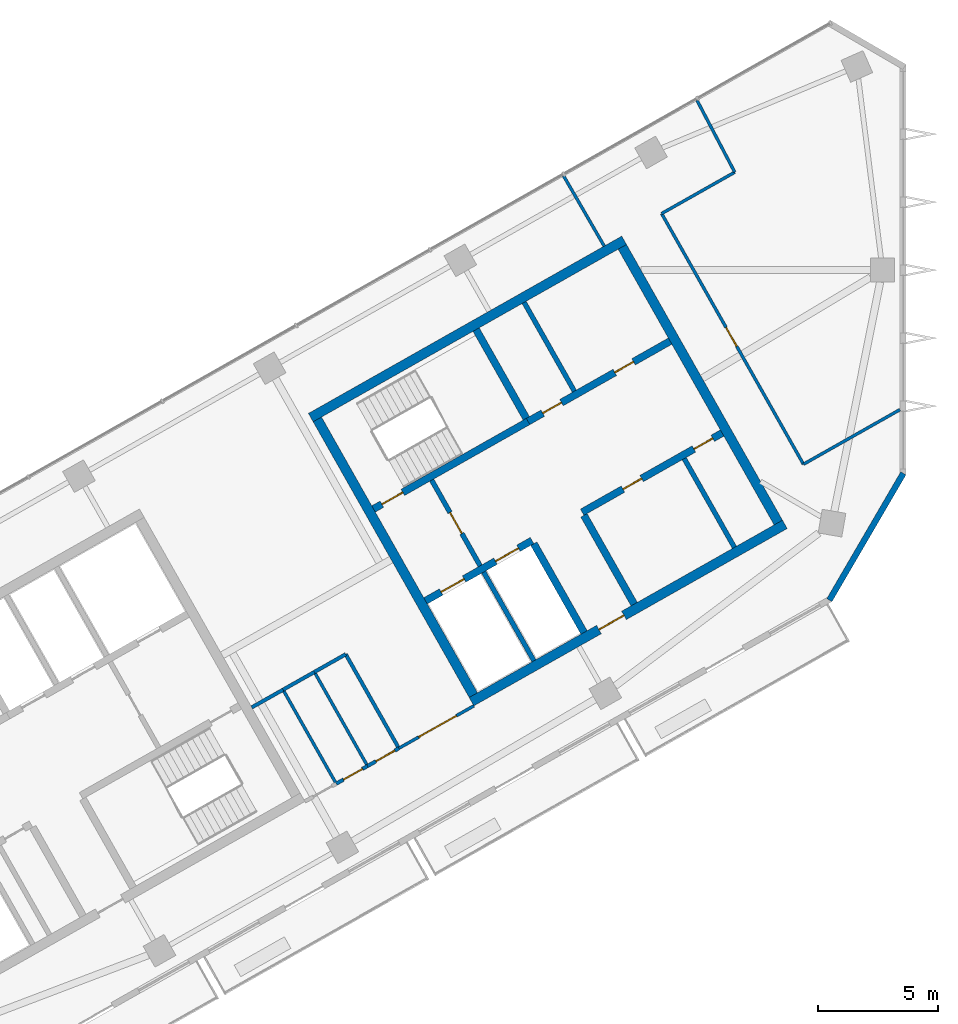
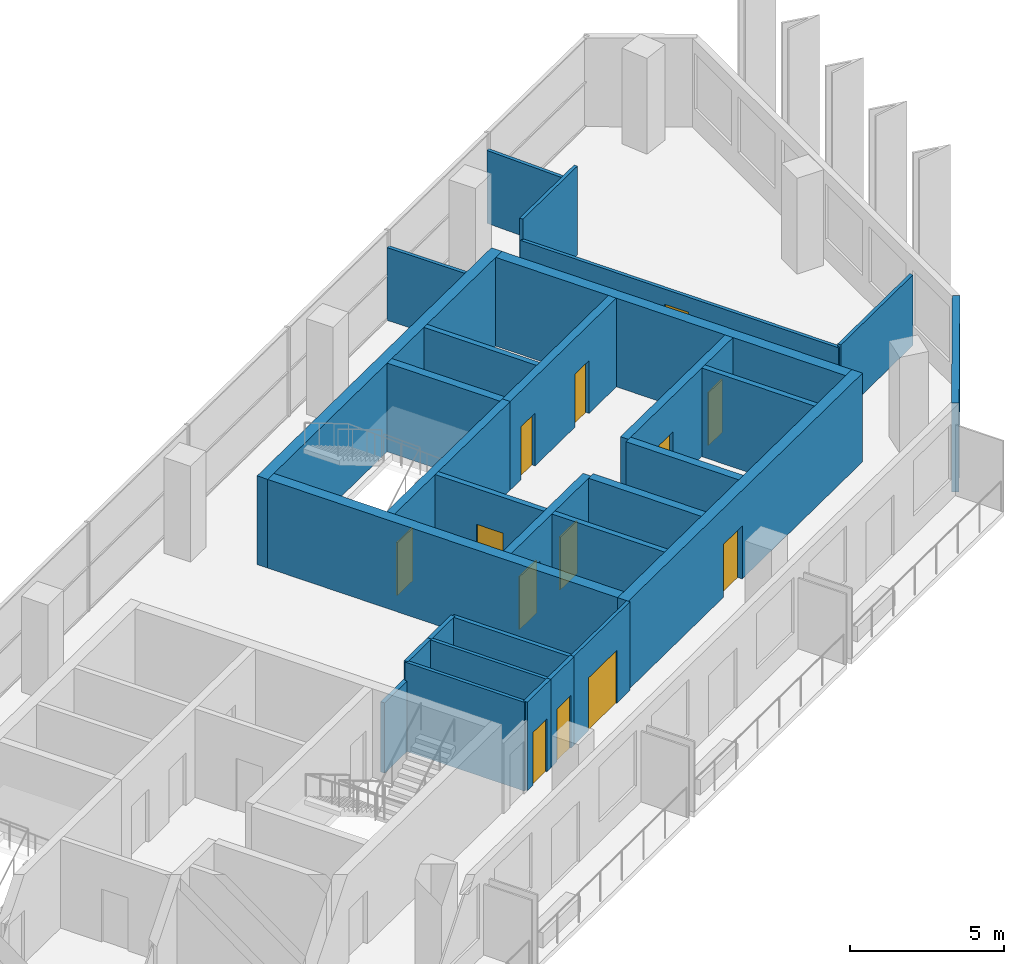
# One storey, part 7 of 10: 30 walls, 13 doors, 13 openings.
"""IFC4 building model written with IfcOpenShell, lengths in metres."""

from ifc_helpers import new_model, si_unit, direction, frame, frame_2d, origin, place, context, subcontext, project, spatial, rectangle, extrude, material, layer, layer_set, type_object, element, fill, save


model = new_model("IFC4")

# Units and contexts
model_context = context("Model", 3, precision=1e-05, world=origin(), true_north=direction((0.0, 1.0)))
body_context = subcontext(model_context, "Body", "Model", "MODEL_VIEW")
ifc_project = project(units=[si_unit("LENGTHUNIT", "METRE"), si_unit("AREAUNIT", "SQUARE_METRE"), si_unit("VOLUMEUNIT", "CUBIC_METRE"), si_unit("PLANEANGLEUNIT", "RADIAN"), si_unit("MASSUNIT", "GRAM", prefix="KILO")], contexts=[model_context])

# Site, building, storey
site_placement = place(None, origin())
site = spatial("IfcSite", under=ifc_project, at=site_placement, CompositionType="ELEMENT")
building_placement = place(site_placement, origin())
building = spatial("IfcBuilding", under=site, at=building_placement, Name="Binnacle Exchange Tower", CompositionType="ELEMENT")
storey_placement = place(building_placement, frame((0.0, 0.0, 324.10009765625)))
storey = spatial("IfcBuildingStorey", under=building, at=storey_placement, Name="L73", CompositionType="ELEMENT", Elevation=324.10009765625)

# Walls
ifc_material_1 = material(Name="Gypsum partition fire rated")
ifc_layer_1 = layer(ifc_material_1, 0.199951171875)
ifc_layer_set_1 = layer_set([ifc_layer_1], Name="Core partition 200")
wall_type_1 = type_object("IfcWallType", Name="Core partition 200", PredefinedType="PARTITIONING", material=ifc_layer_set_1)
wall_1_placement = place(storey_placement, frame((-15.783203125, 58.653564453125, 0.0), z_axis=(0.0, 0.0, 1.0), x_axis=(0.492441437811, -0.870345580977, 0.0)))
element("IfcWall", 1, at=wall_1_placement, inside=storey, type_object=wall_type_1, Name="Core wall CRWC17", PredefinedType="PARTITIONING", context=body_context, shape_type="SweptSolid", body=[
    extrude(rectangle(XDim=4.250244140625, YDim=0.199951171875, at=frame_2d((2.125, 0.0))), origin(), (0.0, 0.0, 1.0), 3.52001953125),
])
wall_2_placement = place(storey_placement, frame((-9.11279296875, 52.14404296875, 0.0), z_axis=(0.0, 0.0, 1.0), x_axis=(0.492422543467, -0.870356271124, 0.0)))
element("IfcWall", 2, at=wall_2_placement, inside=storey, type_object=wall_type_1, Name="Core wall CRWC22", PredefinedType="PARTITIONING", context=body_context, shape_type="SweptSolid", body=[
    extrude(rectangle(XDim=4.25, YDim=0.199951171875, at=frame_2d((2.125, 0.0))), origin(), (0.0, 0.0, 1.0), 3.52001953125),
])

# Wall, openings, doors
ifc_material_2 = material(Name="Concrete C70/85", Category="concrete")
ifc_layer_2 = layer(ifc_material_2, 0.300048828125)
ifc_layer_set_2 = layer_set([ifc_layer_2], Name="Core wall - front 300")
wall_type_2 = type_object("IfcWallType", Name="Core wall - front 300", PredefinedType="SOLIDWALL", material=ifc_layer_set_2)
wall_3_placement = place(storey_placement, frame((-19.89208984375, 46.2177734375, 0.0), z_axis=(0.0, 0.0, 1.0), x_axis=(0.870341639186, 0.492448404505, 0.0)))
wall_3 = element("IfcWall", 3, at=wall_3_placement, inside=storey, type_object=wall_type_2, Name="Core wall CRWC2", PredefinedType="SOLIDWALL", context=body_context, shape_type="SweptSolid", body=[
    extrude(rectangle(XDim=5.099853515625, YDim=0.300048828125, at=frame_2d((2.5498046875, 0.0))), origin(), (0.0, 0.0, 1.0), 3.52001953125),
])
opening_1_placement = place(wall_3_placement, frame((0.75, 0.0, 0.0)))
opening_1 = element("IfcOpeningElement", 4, at=opening_1_placement, cuts=wall_3, Name="Opening LD14", PredefinedType="OPENING", context=body_context, shape_type="SweptSolid", body=[
    extrude(rectangle(XDim=1.10009765625, YDim=2.10009765625, at=frame_2d((0.550048828125, 1.050048828125))), frame((0.0, 0.159912109375, 0.0), z_axis=(0.0, -1.0, 0.0), x_axis=(1.0, 0.0, 0.0)), (0.0, 0.0, 1.0), 0.320068359375),
])
opening_2_placement = place(wall_3_placement, frame((3.35009765625, 0.0, 0.0)))
opening_2 = element("IfcOpeningElement", 5, at=opening_2_placement, cuts=wall_3, Name="Opening LD11", PredefinedType="OPENING", context=body_context, shape_type="SweptSolid", body=[
    extrude(rectangle(XDim=1.10009765625, YDim=2.10009765625, at=frame_2d((0.550048828125, 1.050048828125))), frame((0.0, 0.159912109375, 0.0), z_axis=(0.0, -1.0, 0.0), x_axis=(1.0, 0.0, 0.0)), (0.0, 0.0, 1.0), 0.320068359375),
])
ifc_material_3 = material(Name="Steel door leaf", Category="steel")
door_type_1 = type_object("IfcDoorType", Name="Fire door - lift landing 1100", OperationType="NOTDEFINED", PredefinedType="DOOR", material=ifc_material_3)
door_1_placement = place(opening_1_placement, origin())
door_1 = element("IfcDoor", 6, at=door_1_placement, inside=storey, type_object=door_type_1, Name="Landing door LD14 L73", OperationType="DOUBLE_DOOR_SLIDING", OverallHeight=2.10009765625, OverallWidth=1.10009765625, PredefinedType="DOOR", context=body_context, shape_type="SweptSolid", body=[
    extrude(rectangle(XDim=1.10009765625, YDim=2.10009765625, at=frame_2d((0.550048828125, 1.050048828125))), frame((0.0, 0.02490234375, 0.0), z_axis=(0.0, -1.0, 0.0), x_axis=(1.0, 0.0, 0.0)), (0.0, 0.0, 1.0), 0.050048828125),
])
fill(opening_1, door_1)
door_2_placement = place(opening_2_placement, origin())
door_2 = element("IfcDoor", 7, at=door_2_placement, inside=storey, type_object=door_type_1, Name="Landing door LD11 L73", OperationType="DOUBLE_DOOR_SLIDING", OverallHeight=2.10009765625, OverallWidth=1.10009765625, PredefinedType="DOOR", context=body_context, shape_type="SweptSolid", body=[
    extrude(rectangle(XDim=1.10009765625, YDim=2.10009765625, at=frame_2d((0.550048828125, 1.050048828125))), frame((0.0, 0.02490234375, 0.0), z_axis=(0.0, -1.0, 0.0), x_axis=(1.0, 0.0, 0.0)), (0.0, 0.0, 1.0), 0.050048828125),
])
fill(opening_2, door_2)

wall_4_placement = place(storey_placement, frame((-13.364501953125, 49.910888671875, 0.0), z_axis=(0.0, 0.0, 1.0), x_axis=(0.870347618718, 0.492437836272, 0.0)))
wall_4 = element("IfcWall", 8, at=wall_4_placement, inside=storey, type_object=wall_type_2, Name="Core wall CRWC3", PredefinedType="SOLIDWALL", context=body_context, shape_type="SweptSolid", body=[
    extrude(rectangle(XDim=6.699951171875, YDim=0.300048828125, at=frame_2d((3.35009765625, 0.0))), origin(), (0.0, 0.0, 1.0), 3.52001953125),
])
opening_3_placement = place(wall_4_placement, frame((1.949951171875, 0.0, 0.0)))
opening_3 = element("IfcOpeningElement", 9, at=opening_3_placement, cuts=wall_4, Name="Opening DC18", PredefinedType="OPENING", context=body_context, shape_type="SweptSolid", body=[
    extrude(rectangle(XDim=0.89990234375, YDim=2.10009765625, at=frame_2d((0.449951171875, 1.050048828125))), frame((0.0, 0.159912109375, 0.0), z_axis=(0.0, -1.0, 0.0), x_axis=(1.0, 0.0, 0.0)), (0.0, 0.0, 1.0), 0.320068359375),
])
opening_4_placement = place(wall_4_placement, frame((5.35009765625, 0.0, 0.0)))
opening_4 = element("IfcOpeningElement", 10, at=opening_4_placement, cuts=wall_4, Name="Opening DC19", PredefinedType="OPENING", context=body_context, shape_type="SweptSolid", body=[
    extrude(rectangle(XDim=0.89990234375, YDim=2.10009765625, at=frame_2d((0.449951171875, 1.050048828125))), frame((0.0, 0.159912109375, 0.0), z_axis=(0.0, -1.0, 0.0), x_axis=(1.0, 0.0, 0.0)), (0.0, 0.0, 1.0), 0.320068359375),
])
door_type_2 = type_object("IfcDoorType", Name="Fire door 900", OperationType="NOTDEFINED", PredefinedType="DOOR", material=ifc_material_3)
door_3_placement = place(opening_3_placement, frame((0.89990234375, 0.0, 0.0), z_axis=(0.0, 0.0, 1.0), x_axis=(-1.0, 0.0, 0.0)))
door_3 = element("IfcDoor", 11, at=door_3_placement, inside=storey, type_object=door_type_2, Name="Core room door TELECOM RISER ROOM", OperationType="SINGLE_SWING_RIGHT", OverallHeight=2.10009765625, OverallWidth=0.89990234375, PredefinedType="DOOR", context=body_context, shape_type="SweptSolid", body=[
    extrude(rectangle(XDim=0.89990234375, YDim=2.10009765625, at=frame_2d((0.449951171875, 1.050048828125))), frame((0.0, 0.02490234375, 0.0), z_axis=(0.0, -1.0, 0.0), x_axis=(1.0, 0.0, 0.0)), (0.0, 0.0, 1.0), 0.050048828125),
])
fill(opening_3, door_3)
door_4_placement = place(opening_4_placement, frame((0.89990234375, 0.0, 0.0), z_axis=(0.0, 0.0, 1.0), x_axis=(-1.0, 0.0, 0.0)))
door_4 = element("IfcDoor", 12, at=door_4_placement, inside=storey, type_object=door_type_2, Name="Core room door FIBRE ENTRY ROOM", OperationType="SINGLE_SWING_LEFT", OverallHeight=2.10009765625, OverallWidth=0.89990234375, PredefinedType="DOOR", context=body_context, shape_type="SweptSolid", body=[
    extrude(rectangle(XDim=0.89990234375, YDim=2.10009765625, at=frame_2d((0.449951171875, 1.050048828125))), frame((0.0, 0.02490234375, 0.0), z_axis=(0.0, -1.0, 0.0), x_axis=(1.0, 0.0, 0.0)), (0.0, 0.0, 1.0), 0.050048828125),
])
fill(opening_4, door_4)

wall_5_placement = place(storey_placement, frame((-15.6181640625, 53.69140625, 0.0), z_axis=(0.0, 0.0, 1.0), x_axis=(0.870362830851, 0.492410948978, 0.0)))
wall_5 = element("IfcWall", 13, at=wall_5_placement, inside=storey, type_object=wall_type_2, Name="Core wall CRWC5", PredefinedType="SOLIDWALL", context=body_context, shape_type="SweptSolid", body=[
    extrude(rectangle(XDim=6.800048828125, YDim=0.300048828125, at=frame_2d((3.39990234375, 0.0))), origin(), (0.0, 0.0, 1.0), 3.52001953125),
])
opening_5_placement = place(wall_5_placement, frame((0.699951171875, 0.0, 0.0)))
opening_5 = element("IfcOpeningElement", 14, at=opening_5_placement, cuts=wall_5, Name="Opening DC10", PredefinedType="OPENING", context=body_context, shape_type="SweptSolid", body=[
    extrude(rectangle(XDim=0.89990234375, YDim=2.10009765625, at=frame_2d((0.449951171875, 1.050048828125))), frame((0.0, 0.159912109375, 0.0), z_axis=(0.0, -1.0, 0.0), x_axis=(1.0, 0.0, 0.0)), (0.0, 0.0, 1.0), 0.320068359375),
])
opening_6_placement = place(wall_5_placement, frame((4.14990234375, 0.0, 0.0)))
opening_6 = element("IfcOpeningElement", 15, at=opening_6_placement, cuts=wall_5, Name="Opening DC11", PredefinedType="OPENING", context=body_context, shape_type="SweptSolid", body=[
    extrude(rectangle(XDim=0.89990234375, YDim=2.10009765625, at=frame_2d((0.449951171875, 1.050048828125))), frame((0.0, 0.159912109375, 0.0), z_axis=(0.0, -1.0, 0.0), x_axis=(1.0, 0.0, 0.0)), (0.0, 0.0, 1.0), 0.320068359375),
])
door_5_placement = place(opening_5_placement, origin())
door_5 = element("IfcDoor", 16, at=door_5_placement, inside=storey, type_object=door_type_2, Name="Core room door CLEANERS STORE", OperationType="SINGLE_SWING_LEFT", OverallHeight=2.10009765625, OverallWidth=0.89990234375, PredefinedType="DOOR", context=body_context, shape_type="SweptSolid", body=[
    extrude(rectangle(XDim=0.89990234375, YDim=2.10009765625, at=frame_2d((0.449951171875, 1.050048828125))), frame((0.0, 0.02490234375, 0.0), z_axis=(0.0, -1.0, 0.0), x_axis=(1.0, 0.0, 0.0)), (0.0, 0.0, 1.0), 0.050048828125),
])
fill(opening_5, door_5)
door_6_placement = place(opening_6_placement, origin())
door_6 = element("IfcDoor", 17, at=door_6_placement, inside=storey, type_object=door_type_2, Name="Core room door EQUIPMENT STORE", OperationType="SINGLE_SWING_RIGHT", OverallHeight=2.10009765625, OverallWidth=0.89990234375, PredefinedType="DOOR", context=body_context, shape_type="SweptSolid", body=[
    extrude(rectangle(XDim=0.89990234375, YDim=2.10009765625, at=frame_2d((0.449951171875, 1.050048828125))), frame((0.0, 0.02490234375, 0.0), z_axis=(0.0, -1.0, 0.0), x_axis=(1.0, 0.0, 0.0)), (0.0, 0.0, 1.0), 0.050048828125),
])
fill(opening_6, door_6)

# Walls
wall_6_placement = place(storey_placement, frame((-15.37939453125, 48.5986328125, 0.0), z_axis=(0.0, 0.0, 1.0), x_axis=(0.492422543467, -0.870356271124, 0.0)))
element("IfcWall", 18, at=wall_6_placement, inside=storey, type_object=wall_type_2, Name="Core wall CRWC13", PredefinedType="SOLIDWALL", context=body_context, shape_type="SweptSolid", body=[
    extrude(rectangle(XDim=4.25, YDim=0.300048828125, at=frame_2d((2.125, 0.0))), origin(), (0.0, 0.0, 1.0), 3.52001953125),
])
wall_7_placement = place(storey_placement, frame((-13.29052734375, 49.780517578125, 0.0), z_axis=(0.0, 0.0, 1.0), x_axis=(0.492397924348, -0.870370199454, 0.0)))
element("IfcWall", 19, at=wall_7_placement, inside=storey, type_object=wall_type_2, Name="Core wall CRWC15", PredefinedType="SOLIDWALL", context=body_context, shape_type="SweptSolid", body=[
    extrude(rectangle(XDim=4.250244140625, YDim=0.300048828125, at=frame_2d((2.125, 0.0))), origin(), (0.0, 0.0, 1.0), 3.52001953125),
])

# Wall, opening, door
ifc_layer_3 = layer(ifc_material_2, 0.39990234375)
ifc_layer_set_3 = layer_set([ifc_layer_3], Name="Core wall - outer 400")
wall_type_3 = type_object("IfcWallType", Name="Core wall - outer 400", PredefinedType="SOLIDWALL", material=ifc_layer_set_3)
wall_8_placement = place(storey_placement, frame((-17.97509765625, 42.01708984375, 0.0), z_axis=(0.0, 0.0, 1.0), x_axis=(0.87034965173, 0.492434243055, 0.0)))
wall_8 = element("IfcWall", 20, at=wall_8_placement, inside=storey, type_object=wall_type_3, Name="Core wall CRWC1", PredefinedType="SOLIDWALL", context=body_context, shape_type="SweptSolid", body=[
    extrude(rectangle(XDim=15.0, YDim=0.39990234375, at=frame_2d((7.5, 0.0))), origin(), (0.0, 0.0, 1.0), 3.52001953125),
])
opening_7_placement = place(wall_8_placement, frame((6.10009765625, 0.0, 0.0)))
opening_7 = element("IfcOpeningElement", 21, at=opening_7_placement, cuts=wall_8, Name="Opening DC7", PredefinedType="OPENING", context=body_context, shape_type="SweptSolid", body=[
    extrude(rectangle(XDim=1.199951171875, YDim=2.10009765625, at=frame_2d((0.60009765625, 1.050048828125))), frame((0.0, 0.2099609375, 0.0), z_axis=(0.0, -1.0, 0.0), x_axis=(1.0, 0.0, 0.0)), (0.0, 0.0, 1.0), 0.419921875),
])
door_type_3 = type_object("IfcDoorType", Name="Fire door 1200", OperationType="NOTDEFINED", PredefinedType="DOOR", material=ifc_material_3)
door_7_placement = place(opening_7_placement, frame((1.199951171875, 0.0, 0.0), z_axis=(0.0, 0.0, 1.0), x_axis=(-1.0, 0.0, 0.0)))
door_7 = element("IfcDoor", 22, at=door_7_placement, inside=storey, type_object=door_type_3, Name="Lift lobby entrance door core C", OperationType="SINGLE_SWING_RIGHT", OverallHeight=2.10009765625, OverallWidth=1.199951171875, PredefinedType="DOOR", context=body_context, shape_type="SweptSolid", body=[
    extrude(rectangle(XDim=1.199951171875, YDim=2.10009765625, at=frame_2d((0.60009765625, 1.050048828125))), frame((0.0, 0.02490234375, 0.0), z_axis=(0.0, -1.0, 0.0), x_axis=(1.0, 0.0, 0.0)), (0.0, 0.0, 1.0), 0.050048828125),
])
fill(opening_7, door_7)

# Walls
wall_9_placement = place(storey_placement, frame((-24.672119140625, 53.85400390625, 0.0), z_axis=(0.0, 0.0, 1.0), x_axis=(0.870353598469, 0.492427267353, 0.0)))
element("IfcWall", 23, at=wall_9_placement, inside=storey, type_object=wall_type_3, Name="Core wall CRWC6", PredefinedType="SOLIDWALL", context=body_context, shape_type="SweptSolid", body=[
    extrude(rectangle(XDim=15.000244140625, YDim=0.39990234375, at=frame_2d((7.5, 0.0))), origin(), (0.0, 0.0, 1.0), 3.52001953125),
])
for number, where, z_axis, x_axis, name in (
    (24, (-24.399658203125, 53.778564453125, 0.0), (0.0, 0.0, 1.0), (0.492421663121, -0.870356769198, 0.0), "Core wall CRWC7"),
    (25, (-11.6923828125, 60.968017578125, 0.0), (0.0, 0.0, 1.0), (0.492421663121, -0.870356769198, 0.0), "Core wall CRWC24"),
):
    element("IfcWall", number, at=place(storey_placement, frame(where, z_axis=z_axis, x_axis=x_axis)), inside=storey, type_object=wall_type_3, Name=name, PredefinedType="SOLIDWALL", context=body_context, shape_type="SweptSolid", body=[
        extrude(rectangle(XDim=13.199951171875, YDim=0.39990234375, at=frame_2d((6.60009765625, 0.0))), origin(), (0.0, 0.0, 1.0), 3.52001953125),
    ])

# Wall, opening, door
ifc_layer_4 = layer(ifc_material_2, 0.300048828125)
ifc_layer_set_4 = layer_set([ifc_layer_4], Name="Core wall - stair 300")
wall_type_4 = type_object("IfcWallType", Name="Core wall - stair 300", PredefinedType="SOLIDWALL", material=ifc_layer_set_4)
wall_10_placement = place(storey_placement, frame((-22.058837890625, 50.04736328125, 0.0), z_axis=(0.0, 0.0, 1.0), x_axis=(0.87035077051, 0.49243226567, 0.0)))
wall_10 = element("IfcWall", 26, at=wall_10_placement, inside=storey, type_object=wall_type_4, Name="Core wall CRWC4", PredefinedType="SOLIDWALL", context=body_context, shape_type="SweptSolid", body=[
    extrude(rectangle(XDim=7.400146484375, YDim=0.300048828125, at=frame_2d((3.7001953125, 0.0))), origin(), (0.0, 0.0, 1.0), 3.52001953125),
])
opening_8_placement = place(wall_10_placement, frame((0.39990234375, 0.0, 0.0)))
opening_8 = element("IfcOpeningElement", 27, at=opening_8_placement, cuts=wall_10, Name="Opening DC1", PredefinedType="OPENING", context=body_context, shape_type="SweptSolid", body=[
    extrude(rectangle(XDim=1.0, YDim=2.10009765625, at=frame_2d((0.5, 1.050048828125))), frame((0.0, 0.159912109375, 0.0), z_axis=(0.0, -1.0, 0.0), x_axis=(1.0, 0.0, 0.0)), (0.0, 0.0, 1.0), 0.320068359375),
])
door_type_4 = type_object("IfcDoorType", Name="Fire door 1000", OperationType="NOTDEFINED", PredefinedType="DOOR", material=ifc_material_3)
door_8_placement = place(opening_8_placement, origin())
door_8 = element("IfcDoor", 28, at=door_8_placement, inside=storey, type_object=door_type_4, Name="Stair door ST-C1", OperationType="SINGLE_SWING_LEFT", OverallHeight=2.10009765625, OverallWidth=1.0, PredefinedType="DOOR", context=body_context, shape_type="SweptSolid", body=[
    extrude(rectangle(XDim=1.0, YDim=2.10009765625, at=frame_2d((0.5, 1.050048828125))), frame((0.0, 0.02490234375, 0.0), z_axis=(0.0, -1.0, 0.0), x_axis=(1.0, 0.0, 0.0)), (0.0, 0.0, 1.0), 0.050048828125),
])
fill(opening_8, door_8)

# Walls
wall_11_placement = place(storey_placement, frame((-17.784912109375, 57.52099609375, 0.0), z_axis=(0.0, 0.0, 1.0), x_axis=(0.492422543467, -0.870356271124, 0.0)))
element("IfcWall", 29, at=wall_11_placement, inside=storey, type_object=wall_type_4, Name="Core wall CRWC14", PredefinedType="SOLIDWALL", context=body_context, shape_type="SweptSolid", body=[
    extrude(rectangle(XDim=4.25, YDim=0.300048828125, at=frame_2d((2.125, 0.0))), origin(), (0.0, 0.0, 1.0), 3.52001953125),
])
ifc_material_4 = material(Name="Bronze aluminium cladding", Category="aluminium")
ifc_layer_5 = layer(ifc_material_4, 0.25)
ifc_layer_set_5 = layer_set([ifc_layer_5], Name="External wall - window wall 250")
wall_type_5 = type_object("IfcWallType", Name="External wall - window wall 250", PredefinedType="STANDARD", material=ifc_layer_set_5)
wall_12_placement = place(storey_placement, frame((0.01708984375, 51.529296875, 0.0), z_axis=(0.0, 0.0, 1.0), x_axis=(-0.503769237131, -0.863838269424, 0.0)))
element("IfcWall", 30, at=wall_12_placement, inside=storey, type_object=wall_type_5, Name="External wall EW-H00 L73", PredefinedType="STANDARD", context=body_context, shape_type="SweptSolid", body=[
    extrude(rectangle(XDim=6.114501953125, YDim=0.25, at=frame_2d((3.05712890625, 0.0))), origin(), (0.0, 0.0, 1.0), 3.52001953125),
])

# Wall, opening, door
ifc_material_5 = material(Name="Masonry block wall", Category="masonry")
ifc_layer_6 = layer(ifc_material_5, 0.199951171875)
ifc_layer_set_6 = layer_set([ifc_layer_6], Name="Fire wall - vestibule 200")
wall_type_6 = type_object("IfcWallType", Name="Fire wall - vestibule 200", PredefinedType="PARTITIONING", material=ifc_layer_set_6)
wall_13_placement = place(storey_placement, frame((-19.635009765625, 51.246337890625, 0.0), z_axis=(0.0, 0.0, 1.0), x_axis=(0.492408451753, -0.87036424366, 0.0)))
wall_13 = element("IfcWall", 31, at=wall_13_placement, inside=storey, type_object=wall_type_6, Name="Core wall CRWC10", PredefinedType="PARTITIONING", context=body_context, shape_type="SweptSolid", body=[
    extrude(rectangle(XDim=4.099853515625, YDim=0.199951171875, at=frame_2d((2.0498046875, 0.0))), origin(), (0.0, 0.0, 1.0), 3.52001953125),
])
opening_9_placement = place(wall_13_placement, frame((1.550048828125, 0.0, 0.0)))
opening_9 = element("IfcOpeningElement", 32, at=opening_9_placement, cuts=wall_13, Name="Opening DC3", PredefinedType="OPENING", context=body_context, shape_type="SweptSolid", body=[
    extrude(rectangle(XDim=1.0, YDim=2.10009765625, at=frame_2d((0.5, 1.050048828125))), frame((0.0, 0.10986328125, 0.0), z_axis=(0.0, -1.0, 0.0), x_axis=(1.0, 0.0, 0.0)), (0.0, 0.0, 1.0), 0.219970703125),
])
door_9_placement = place(opening_9_placement, frame((1.0, 0.0, 0.0), z_axis=(0.0, 0.0, 1.0), x_axis=(-1.0, 0.0, 0.0)))
door_9 = element("IfcDoor", 33, at=door_9_placement, inside=storey, type_object=door_type_4, Name="Vestibule door VEST-W", OperationType="SINGLE_SWING_RIGHT", OverallHeight=2.10009765625, OverallWidth=1.0, PredefinedType="DOOR", context=body_context, shape_type="SweptSolid", body=[
    extrude(rectangle(XDim=1.0, YDim=2.10009765625, at=frame_2d((0.5, 1.050048828125))), frame((0.0, 0.02490234375, 0.0), z_axis=(0.0, -1.0, 0.0), x_axis=(1.0, 0.0, 0.0)), (0.0, 0.0, 1.0), 0.050048828125),
])
fill(opening_9, door_9)

# Walls
ifc_layer_7 = layer(ifc_material_1, 0.14990234375)
ifc_layer_set_7 = layer_set([ifc_layer_7], Name="Fire-rated partition 150")
wall_type_7 = type_object("IfcWallType", Name="Fire-rated partition 150", PredefinedType="PARTITIONING", material=ifc_layer_set_7)
wall_14_placement = place(storey_placement, frame((-27.134033203125, 41.77587890625, 0.0), z_axis=(0.0, 0.0, 1.0), x_axis=(0.870429354291, 0.492293346683, 0.0)))
element("IfcWall", 34, at=wall_14_placement, inside=storey, type_object=wall_type_7, Name="Partition W03", PredefinedType="PARTITIONING", context=body_context, shape_type="SweptSolid", body=[
    extrude(rectangle(XDim=1.499267578125, YDim=0.14990234375, at=frame_2d((0.74951171875, 0.0))), origin(), (0.0, 0.0, 1.0), 2.7919921875),
])
wall_15_placement = place(storey_placement, frame((-25.8291015625, 42.513916015625, 0.0), z_axis=(0.0, 0.0, 1.0), x_axis=(0.870347633314, 0.492437810475, 0.0)))
element("IfcWall", 35, at=wall_15_placement, inside=storey, type_object=wall_type_7, Name="Partition W04", PredefinedType="PARTITIONING", context=body_context, shape_type="SweptSolid", body=[
    extrude(rectangle(XDim=1.500732421875, YDim=0.14990234375, at=frame_2d((0.75048828125, 0.0))), origin(), (0.0, 0.0, 1.0), 3.52001953125),
])
wall_16_placement = place(storey_placement, frame((-24.52294921875, 43.2529296875, 0.0), z_axis=(0.0, 0.0, 1.0), x_axis=(0.870150176056, 0.492786638526, 0.0)))
element("IfcWall", 36, at=wall_16_placement, inside=storey, type_object=wall_type_7, Name="Partition W07", PredefinedType="PARTITIONING", context=body_context, shape_type="SweptSolid", body=[
    extrude(rectangle(XDim=1.499755859375, YDim=0.14990234375, at=frame_2d((0.75, 0.0))), origin(), (0.0, 0.0, 1.0), 3.52001953125),
])

# Wall, opening, door
wall_17_placement = place(storey_placement, frame((-23.613037109375, 38.597900390625, 0.0), z_axis=(0.0, 0.0, 1.0), x_axis=(0.870429354291, 0.492293346683, 0.0)))
wall_17 = element("IfcWall", 37, at=wall_17_placement, inside=storey, type_object=wall_type_7, Name="Partition W09", PredefinedType="PARTITIONING", context=body_context, shape_type="SweptSolid", body=[
    extrude(rectangle(XDim=1.499267578125, YDim=0.14990234375, at=frame_2d((0.74951171875, 0.0))), origin(), (0.0, 0.0, 1.0), 3.52001953125),
])
opening_10_placement = place(wall_17_placement, frame((0.35009765625, 0.0, 0.0)))
opening_10 = element("IfcOpeningElement", 38, at=opening_10_placement, cuts=wall_17, Name="Opening DL71-03", PredefinedType="OPENING", context=body_context, shape_type="SweptSolid", body=[
    extrude(rectangle(XDim=0.89990234375, YDim=2.10009765625, at=frame_2d((0.449951171875, 1.050048828125))), frame((0.0, 0.0849609375, 0.0), z_axis=(0.0, -1.0, 0.0), x_axis=(1.0, 0.0, 0.0)), (0.0, 0.0, 1.0), 0.169921875),
])
door_10_placement = place(opening_10_placement, origin())
door_10 = element("IfcDoor", 39, at=door_10_placement, inside=storey, type_object=door_type_2, Name="Door DL71-03", OperationType="SINGLE_SWING_RIGHT", OverallHeight=2.10009765625, OverallWidth=0.89990234375, PredefinedType="DOOR", context=body_context, shape_type="SweptSolid", body=[
    extrude(rectangle(XDim=0.89990234375, YDim=2.10009765625, at=frame_2d((0.449951171875, 1.050048828125))), frame((0.0, 0.02490234375, 0.0), z_axis=(0.0, -1.0, 0.0), x_axis=(1.0, 0.0, 0.0)), (0.0, 0.0, 1.0), 0.050048828125),
])
fill(opening_10, door_10)

# Wall
wall_18_placement = place(storey_placement, frame((-23.218017578125, 43.991943359375, 0.0), z_axis=(0.0, 0.0, 1.0), x_axis=(0.492412939134, -0.87036170491, 0.0)))
element("IfcWall", 40, at=wall_18_placement, inside=storey, type_object=wall_type_7, Name="Partition W10", PredefinedType="PARTITIONING", context=body_context, shape_type="SweptSolid", body=[
    extrude(rectangle(XDim=4.50048828125, YDim=0.14990234375, at=frame_2d((2.250244140625, 0.0))), origin(), (0.0, 0.0, 1.0), 3.52001953125),
])

# Wall, opening, door
wall_19_placement = place(storey_placement, frame((-22.30810546875, 39.3359375, 0.0), z_axis=(0.0, 0.0, 1.0), x_axis=(0.870347633314, 0.492437810475, 0.0)))
wall_19 = element("IfcWall", 41, at=wall_19_placement, inside=storey, type_object=wall_type_7, Name="Partition W11", PredefinedType="PARTITIONING", context=body_context, shape_type="SweptSolid", body=[
    extrude(rectangle(XDim=1.500732421875, YDim=0.14990234375, at=frame_2d((0.75048828125, 0.0))), origin(), (0.0, 0.0, 1.0), 3.52001953125),
])
opening_11_placement = place(wall_19_placement, frame((0.39990234375, 0.0, 0.0)))
opening_11 = element("IfcOpeningElement", 42, at=opening_11_placement, cuts=wall_19, Name="Opening DL71-04", PredefinedType="OPENING", context=body_context, shape_type="SweptSolid", body=[
    extrude(rectangle(XDim=0.89990234375, YDim=2.10009765625, at=frame_2d((0.449951171875, 1.050048828125))), frame((0.0, 0.0849609375, 0.0), z_axis=(0.0, -1.0, 0.0), x_axis=(1.0, 0.0, 0.0)), (0.0, 0.0, 1.0), 0.169921875),
])
door_11_placement = place(opening_11_placement, origin())
door_11 = element("IfcDoor", 43, at=door_11_placement, inside=storey, type_object=door_type_2, Name="Door DL71-04", OperationType="SINGLE_SWING_RIGHT", OverallHeight=2.10009765625, OverallWidth=0.89990234375, PredefinedType="DOOR", context=body_context, shape_type="SweptSolid", body=[
    extrude(rectangle(XDim=0.89990234375, YDim=2.10009765625, at=frame_2d((0.449951171875, 1.050048828125))), frame((0.0, 0.02490234375, 0.0), z_axis=(0.0, -1.0, 0.0), x_axis=(1.0, 0.0, 0.0)), (0.0, 0.0, 1.0), 0.050048828125),
])
fill(opening_11, door_11)

# Walls
ifc_material_6 = material(Name="Gypsum partition")
ifc_layer_8 = layer(ifc_material_6, 0.125)
ifc_layer_set_8 = layer_set([ifc_layer_8], Name="Partition 125")
wall_type_8 = type_object("IfcWallType", Name="Partition 125", PredefinedType="PARTITIONING", material=ifc_layer_set_8)
wall_20_placement = place(storey_placement, frame((-25.8291015625, 42.513916015625, 0.0), z_axis=(0.0, 0.0, 1.0), x_axis=(0.492505952474, -0.870309075431, 0.0)))
element("IfcWall", 44, at=wall_20_placement, inside=storey, type_object=wall_type_8, Name="Partition W05", PredefinedType="PARTITIONING", context=body_context, shape_type="SweptSolid", body=[
    extrude(rectangle(XDim=4.49951171875, YDim=0.125, at=frame_2d((2.249755859375, 0.0))), origin(), (0.0, 0.0, 1.0), 3.52001953125),
])
wall_21_placement = place(storey_placement, frame((-24.52294921875, 43.2529296875, 0.0), z_axis=(0.0, 0.0, 1.0), x_axis=(0.492207424062, -0.870477944406, 0.0)))
element("IfcWall", 45, at=wall_21_placement, inside=storey, type_object=wall_type_8, Name="Partition W08", PredefinedType="PARTITIONING", context=body_context, shape_type="SweptSolid", body=[
    extrude(rectangle(XDim=4.499755859375, YDim=0.125, at=frame_2d((2.25, 0.0))), origin(), (0.0, 0.0, 1.0), 3.52001953125),
])

# Wall, opening, door
wall_22_placement = place(storey_placement, frame((-21.001953125, 40.074951171875, 0.0), z_axis=(0.0, 0.0, 1.0), x_axis=(0.870352535776, 0.492429145632, 0.0)))
wall_22 = element("IfcWall", 46, at=wall_22_placement, inside=storey, type_object=wall_type_8, Name="Partition W12", PredefinedType="PARTITIONING", context=body_context, shape_type="SweptSolid", body=[
    extrude(rectangle(XDim=3.590576171875, YDim=0.125, at=frame_2d((1.79541015625, 0.0))), origin(), (0.0, 0.0, 1.0), 3.52001953125),
])
opening_12_placement = place(wall_22_placement, frame((0.949951171875, 0.0, 0.0)))
opening_12 = element("IfcOpeningElement", 47, at=opening_12_placement, cuts=wall_22, Name="Opening DL71-05", PredefinedType="OPENING", context=body_context, shape_type="SweptSolid", body=[
    extrude(rectangle(XDim=1.800048828125, YDim=2.10009765625, at=frame_2d((0.89990234375, 1.050048828125))), frame((0.0, 0.072509765625, 0.0), z_axis=(0.0, -1.0, 0.0), x_axis=(1.0, 0.0, 0.0)), (0.0, 0.0, 1.0), 0.14501953125),
])
ifc_material_7 = material(Name="Timber door leaf", Category="wood")
door_type_5 = type_object("IfcDoorType", Name="Double door 1800", OperationType="NOTDEFINED", PredefinedType="DOOR", material=ifc_material_7)
door_12_placement = place(opening_12_placement, origin())
door_12 = element("IfcDoor", 48, at=door_12_placement, inside=storey, type_object=door_type_5, Name="Door DL71-05", OperationType="DOUBLE_DOOR_SINGLE_SWING", OverallHeight=2.10009765625, OverallWidth=1.800048828125, PredefinedType="DOOR", context=body_context, shape_type="SweptSolid", body=[
    extrude(rectangle(XDim=1.800048828125, YDim=2.10009765625, at=frame_2d((0.89990234375, 1.050048828125))), frame((0.0, 0.02490234375, 0.0), z_axis=(0.0, -1.0, 0.0), x_axis=(1.0, 0.0, 0.0)), (0.0, 0.0, 1.0), 0.050048828125),
])
fill(opening_12, door_12)

# Walls
wall_23_placement = place(storey_placement, frame((-14.14111328125, 63.929931640625, 0.0), z_axis=(0.0, 0.0, 1.0), x_axis=(0.500677851844, -0.865633691969, 0.0)))
element("IfcWall", 49, at=wall_23_placement, inside=storey, type_object=wall_type_8, Name="Partition W13", PredefinedType="PARTITIONING", context=body_context, shape_type="SweptSolid", body=[
    extrude(rectangle(XDim=3.383544921875, YDim=0.125, at=frame_2d((1.69189453125, 0.0))), origin(), (0.0, 0.0, 1.0), 2.887939453125),
])
wall_24_placement = place(storey_placement, frame((-10.053955078125, 62.35498046875, 0.0), z_axis=(0.0, 0.0, 1.0), x_axis=(0.870470590541, 0.492220429283, 0.0)))
element("IfcWall", 50, at=wall_24_placement, inside=storey, type_object=wall_type_8, Name="Partition W14", PredefinedType="PARTITIONING", context=body_context, shape_type="SweptSolid", body=[
    extrude(rectangle(XDim=3.500244140625, YDim=0.125, at=frame_2d((1.75, 0.0))), origin(), (0.0, 0.0, 1.0), 3.52001953125),
])

# Wall, opening, door
wall_25_placement = place(storey_placement, frame((-10.053955078125, 62.35498046875, 0.0), z_axis=(0.0, 0.0, 1.0), x_axis=(0.49244734164, -0.870342240565, 0.0)))
wall_25 = element("IfcWall", 51, at=wall_25_placement, inside=storey, type_object=wall_type_8, Name="Partition W15", PredefinedType="PARTITIONING", context=body_context, shape_type="SweptSolid", body=[
    extrude(rectangle(XDim=12.001220703125, YDim=0.125, at=frame_2d((6.00048828125, 0.0))), origin(), (0.0, 0.0, 1.0), 2.699951171875),
])
opening_13_placement = place(wall_25_placement, frame((5.449951171875, 0.0, 0.0)))
opening_13 = element("IfcOpeningElement", 52, at=opening_13_placement, cuts=wall_25, Name="Opening DL71-06", PredefinedType="OPENING", context=body_context, shape_type="SweptSolid", body=[
    extrude(rectangle(XDim=0.89990234375, YDim=2.10009765625, at=frame_2d((0.449951171875, 1.050048828125))), frame((0.0, 0.072509765625, 0.0), z_axis=(0.0, -1.0, 0.0), x_axis=(1.0, 0.0, 0.0)), (0.0, 0.0, 1.0), 0.14501953125),
])
door_type_6 = type_object("IfcDoorType", Name="Door 900", OperationType="NOTDEFINED", PredefinedType="DOOR", material=ifc_material_7)
door_13_placement = place(opening_13_placement, origin())
door_13 = element("IfcDoor", 53, at=door_13_placement, inside=storey, type_object=door_type_6, Name="Door DL71-06", OperationType="SINGLE_SWING_LEFT", OverallHeight=2.10009765625, OverallWidth=0.89990234375, PredefinedType="DOOR", context=body_context, shape_type="SweptSolid", body=[
    extrude(rectangle(XDim=0.89990234375, YDim=2.10009765625, at=frame_2d((0.449951171875, 1.050048828125))), frame((0.0, 0.02490234375, 0.0), z_axis=(0.0, -1.0, 0.0), x_axis=(1.0, 0.0, 0.0)), (0.0, 0.0, 1.0), 0.050048828125),
])
fill(opening_13, door_13)

# Walls
wall_26_placement = place(storey_placement, frame((-8.5810546875, 67.075927734375, 0.0), z_axis=(0.0, 0.0, 1.0), x_axis=(0.46483389899, -0.885397902838, 0.0)))
element("IfcWall", 54, at=wall_26_placement, inside=storey, type_object=wall_type_8, Name="Partition W16", PredefinedType="PARTITIONING", context=body_context, shape_type="SweptSolid", body=[
    extrude(rectangle(XDim=3.385986328125, YDim=0.125, at=frame_2d((1.69287109375, 0.0))), origin(), (0.0, 0.0, 1.0), 2.887939453125),
])
wall_27_placement = place(storey_placement, frame((-4.14404296875, 51.909912109375, 0.0), z_axis=(0.0, 0.0, 1.0), x_axis=(0.870327404496, 0.49247356171, 0.0)))
element("IfcWall", 55, at=wall_27_placement, inside=storey, type_object=wall_type_8, Name="Partition W17", PredefinedType="PARTITIONING", context=body_context, shape_type="SweptSolid", body=[
    extrude(rectangle(XDim=4.617919921875, YDim=0.125, at=frame_2d((2.30908203125, 0.0))), origin(), (0.0, 0.0, 1.0), 2.7998046875),
])
ifc_layer_9 = layer(ifc_material_5, 0.199951171875)
ifc_layer_set_9 = layer_set([ifc_layer_9], Name="Shaft wall 200")
wall_type_9 = type_object("IfcWallType", Name="Shaft wall 200", PredefinedType="SOLIDWALL", material=ifc_layer_set_9)
wall_28_placement = place(storey_placement, frame((-17.468505859375, 47.416748046875, 0.0), z_axis=(0.0, 0.0, 1.0), x_axis=(0.492466057713, -0.870331650579, 0.0)))
element("IfcWall", 56, at=wall_28_placement, inside=storey, type_object=wall_type_9, Name="Core wall CRWC9", PredefinedType="SOLIDWALL", context=body_context, shape_type="SweptSolid", body=[
    extrude(rectangle(XDim=4.25, YDim=0.199951171875, at=frame_2d((2.125, 0.0))), origin(), (0.0, 0.0, 1.0), 3.52001953125),
])

save(model, "model.ifc")
